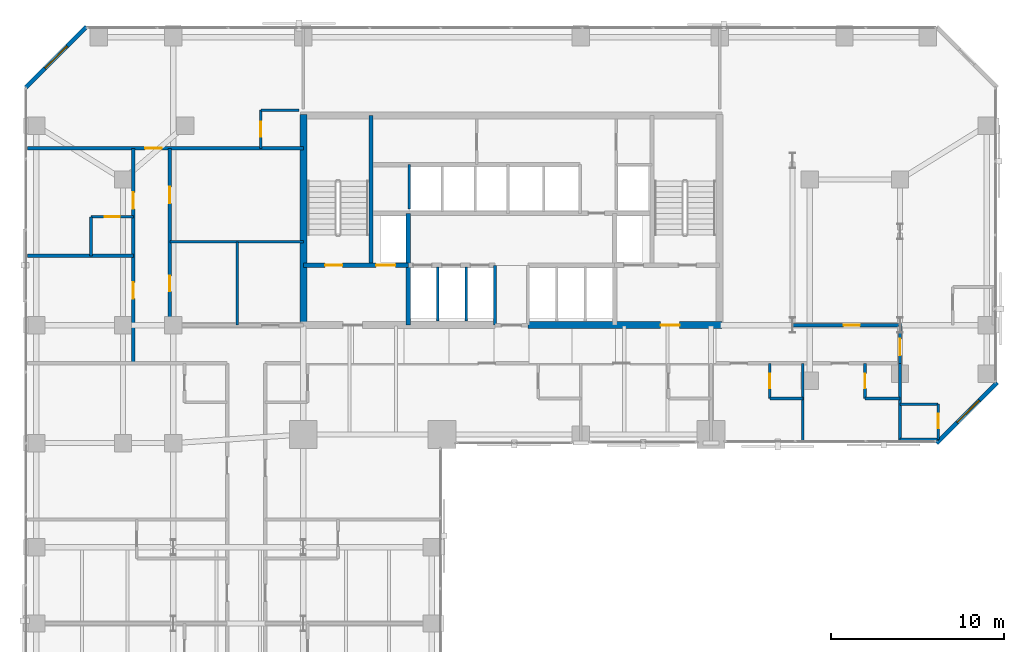
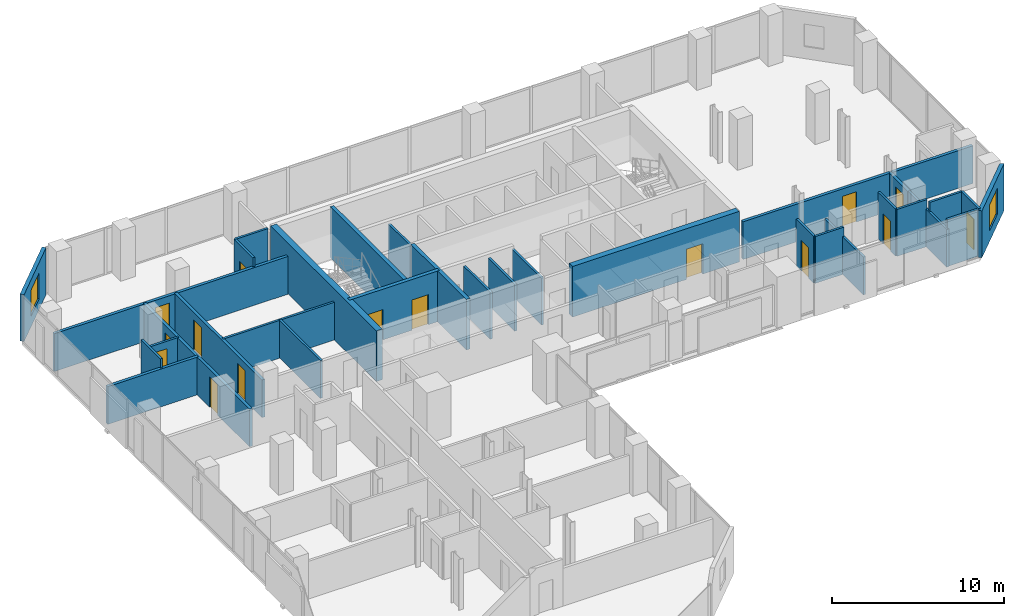
# One storey, part 28 of 31: 32 walls, 15 doors, 2 windows, 17 openings.
"""IFC4 building model written with IfcOpenShell, lengths in metres."""

from ifc_helpers import new_model, si_unit, direction, frame, frame_2d, origin, place, context, subcontext, project, spatial, rectangle, extrude, material, layer, layer_set, type_object, element, fill, save


model = new_model("IFC4")

# Units and contexts
model_context = context("Model", 3, precision=1e-05, world=origin(), true_north=direction((0.0, 1.0)))
body_context = subcontext(model_context, "Body", "Model", "MODEL_VIEW")
ifc_project = project(units=[si_unit("LENGTHUNIT", "METRE"), si_unit("AREAUNIT", "SQUARE_METRE"), si_unit("VOLUMEUNIT", "CUBIC_METRE"), si_unit("PLANEANGLEUNIT", "RADIAN"), si_unit("MASSUNIT", "GRAM", prefix="KILO")], contexts=[model_context])

# Site, building, storey
site_placement = place(None, origin())
site = spatial("IfcSite", under=ifc_project, at=site_placement, CompositionType="ELEMENT")
building_placement = place(site_placement, origin())
building = spatial("IfcBuilding", under=site, at=building_placement, Name="Catumbela Crestline Tower", CompositionType="ELEMENT")
storey_placement = place(building_placement, frame((0.0, 0.0, 25.8)))
storey = spatial("IfcBuildingStorey", under=building, at=storey_placement, Name="L05", CompositionType="ELEMENT", Elevation=25.8)

# Walls
ifc_material_1 = material(Name="Concrete C50/60", Category="concrete")
ifc_layer_1 = layer(ifc_material_1, 0.25, Name="Concrete C50/60")
ifc_layer_set_1 = layer_set([ifc_layer_1], Name="Concrete C50/60")
wall_type_1 = type_object("IfcWallType", Name="CW-250D", PredefinedType="SHEAR", material=ifc_layer_set_1)
wall_1_placement = place(storey_placement, frame((19.9, 34.25, 0.0), z_axis=(0.0, 0.0, 1.0), x_axis=(0.0, 1.0, 0.0)))
element("IfcWall", 1, at=wall_1_placement, inside=storey, type_object=wall_type_1, Name="L05 Structural Core Shear Wall WWEB", PredefinedType="SHEAR", context=body_context, shape_type="SweptSolid", body=[
    extrude(rectangle(XDim=8.65, YDim=0.25, at=frame_2d((4.325, 0.0))), origin(), (0.0, 0.0, 1.0), 3.6),
])
wall_2_placement = place(storey_placement, frame((22.05, 30.8, 0.0), z_axis=(0.0, 0.0, 1.0), x_axis=(0.0, 1.0, 0.0)))
element("IfcWall", 2, at=wall_2_placement, inside=storey, type_object=wall_type_1, Name="L05 Structural Core Shear Wall FFW", PredefinedType="SHEAR", context=body_context, shape_type="SweptSolid", body=[
    extrude(rectangle(XDim=6.45, YDim=0.25, at=frame_2d((3.225, 0.0))), origin(), (0.0, 0.0, 1.0), 3.6),
])

# Wall, openings, doors
wall_3_placement = place(storey_placement, frame((16.0, 34.25, 0.0), z_axis=(0.0, 0.0, 1.0), x_axis=(1.0, 0.0, 0.0)))
wall_3 = element("IfcWall", 3, at=wall_3_placement, inside=storey, type_object=wall_type_1, Name="L05 Structural Core Shear Wall ST1S", PredefinedType="SHEAR", context=body_context, shape_type="SweptSolid", body=[
    extrude(rectangle(XDim=6.05, YDim=0.25, at=frame_2d((3.025, 0.0))), origin(), (0.0, 0.0, 1.0), 3.6),
])
opening_1_placement = place(wall_3_placement, frame((1.25, 0.0, 0.0)))
opening_1 = element("IfcOpeningElement", 4, at=opening_1_placement, cuts=wall_3, Name="Opening DF9-100", PredefinedType="OPENING", context=body_context, shape_type="SweptSolid", body=[
    extrude(rectangle(XDim=1.0, YDim=2.15, at=frame_2d((0.5, 1.075))), frame((0.0, 0.135, 0.0), z_axis=(0.0, -1.0, 0.0), x_axis=(1.0, 0.0, 0.0)), (0.0, 0.0, 1.0), 0.27),
])
opening_2_placement = place(wall_3_placement, frame((4.2, 0.0, 0.0)))
opening_2 = element("IfcOpeningElement", 5, at=opening_2_placement, cuts=wall_3, Name="Opening LD-110", PredefinedType="OPENING", context=body_context, shape_type="SweptSolid", body=[
    extrude(rectangle(XDim=1.1, YDim=2.15, at=frame_2d((0.55, 1.075))), frame((0.0, 0.135, 0.0), z_axis=(0.0, -1.0, 0.0), x_axis=(1.0, 0.0, 0.0)), (0.0, 0.0, 1.0), 0.27),
])
ifc_material_2 = material(Name="Stainless steel EN 1.4401", Category="steel")
door_type_1 = type_object("IfcDoorType", Name="DF9-100", OperationType="NOTDEFINED", PredefinedType="DOOR", material=ifc_material_2)
door_1_placement = place(opening_1_placement, origin())
door_1 = element("IfcDoor", 6, at=door_1_placement, inside=storey, type_object=door_type_1, Name="L05 Interior Door DR-L05-ST01", OperationType="SINGLE_SWING_LEFT", OverallHeight=2.15, OverallWidth=1.0, PredefinedType="DOOR", context=body_context, shape_type="SweptSolid", body=[
    extrude(rectangle(XDim=1.0, YDim=2.15, at=frame_2d((0.5, 1.075))), frame((0.0, 0.025, 0.0), z_axis=(0.0, -1.0, 0.0), x_axis=(1.0, 0.0, 0.0)), (0.0, 0.0, 1.0), 0.05),
])
fill(opening_1, door_1)
door_type_2 = type_object("IfcDoorType", Name="LD-110", OperationType="NOTDEFINED", PredefinedType="DOOR", material=ifc_material_2)
door_2_placement = place(opening_2_placement, origin())
door_2 = element("IfcDoor", 7, at=door_2_placement, inside=storey, type_object=door_type_2, Name="L05 Lift Landing Sliding Door FL-01", OperationType="DOUBLE_DOOR_SLIDING", OverallHeight=2.15, OverallWidth=1.1, PredefinedType="DOOR", context=body_context, shape_type="SweptSolid", body=[
    extrude(rectangle(XDim=1.1, YDim=2.15, at=frame_2d((0.55, 1.075))), frame((0.0, 0.025, 0.0), z_axis=(0.0, -1.0, 0.0), x_axis=(1.0, 0.0, 0.0)), (0.0, 0.0, 1.0), 0.05),
])
fill(opening_2, door_2)

# Wall
ifc_material_3 = material(Name="Concrete C60/75", Category="concrete")
ifc_layer_2 = layer(ifc_material_3, 0.4, Name="Concrete C60/75")
ifc_layer_set_2 = layer_set([ifc_layer_2], Name="Concrete C60/75")
wall_type_2 = type_object("IfcWallType", Name="CW-400A", PredefinedType="SHEAR", material=ifc_layer_set_2)
wall_4_placement = place(storey_placement, frame((16.0, 30.65, 0.0), z_axis=(0.0, 0.0, 1.0), x_axis=(0.0, 1.0, 0.0)))
element("IfcWall", 8, at=wall_4_placement, inside=storey, type_object=wall_type_2, Name="L05 Structural Core Shear Wall W", PredefinedType="SHEAR", context=body_context, shape_type="SweptSolid", body=[
    extrude(rectangle(XDim=12.3, YDim=0.4, at=frame_2d((6.15, 0.0))), origin(), (0.0, 0.0, 1.0), 3.6),
])

# Wall, opening, door
wall_5_placement = place(storey_placement, frame((28.95, 30.8, 0.0), z_axis=(0.0, 0.0, 1.0), x_axis=(1.0, 0.0, 0.0)))
wall_5 = element("IfcWall", 9, at=wall_5_placement, inside=storey, type_object=wall_type_2, Name="L05 Structural Core Shear Wall SE", PredefinedType="SHEAR", context=body_context, shape_type="SweptSolid", body=[
    extrude(rectangle(XDim=11.2, YDim=0.4, at=frame_2d((5.6, 0.0))), origin(), (0.0, 0.0, 1.0), 3.6),
])
opening_3_placement = place(wall_5_placement, frame((7.65, 0.0, 0.0)))
opening_3 = element("IfcOpeningElement", 10, at=opening_3_placement, cuts=wall_5, Name="Opening DF9-110", PredefinedType="OPENING", context=body_context, shape_type="SweptSolid", body=[
    extrude(rectangle(XDim=1.1, YDim=2.15, at=frame_2d((0.55, 1.075))), frame((0.0, 0.21, 0.0), z_axis=(0.0, -1.0, 0.0), x_axis=(1.0, 0.0, 0.0)), (0.0, 0.0, 1.0), 0.42),
])
door_type_3 = type_object("IfcDoorType", Name="DF9-110", OperationType="NOTDEFINED", PredefinedType="DOOR", material=ifc_material_2)
door_3_placement = place(opening_3_placement, origin())
door_3 = element("IfcDoor", 11, at=door_3_placement, inside=storey, type_object=door_type_3, Name="L05 Interior Door DR-L05-FFE-S", OperationType="SINGLE_SWING_RIGHT", OverallHeight=2.15, OverallWidth=1.1, PredefinedType="DOOR", context=body_context, shape_type="SweptSolid", body=[
    extrude(rectangle(XDim=1.1, YDim=2.15, at=frame_2d((0.55, 1.075))), frame((0.0, 0.025, 0.0), z_axis=(0.0, -1.0, 0.0), x_axis=(1.0, 0.0, 0.0)), (0.0, 0.0, 1.0), 0.05),
])
fill(opening_3, door_3)

# Wall, openings, doors
ifc_material_4 = material(Name="Acoustic gypsum and mineral-wool partition")
ifc_layer_3 = layer(ifc_material_4, 0.2, Name="Acoustic gypsum and mineral-wool partition")
ifc_layer_set_3 = layer_set([ifc_layer_3], Name="Acoustic gypsum and mineral-wool partition")
wall_type_3 = type_object("IfcWallType", Name="WC-200", PredefinedType="PARTITIONING", material=ifc_layer_set_3)
wall_6_placement = place(storey_placement, frame((8.3, 30.8, 0.0), z_axis=(0.0, 0.0, 1.0), x_axis=(0.0, 1.0, 0.0)))
wall_6 = element("IfcWall", 12, at=wall_6_placement, inside=storey, type_object=wall_type_3, Name="L05 Interior Partition PW-L05-AWC-W", PredefinedType="PARTITIONING", context=body_context, shape_type="SweptSolid", body=[
    extrude(rectangle(XDim=10.2, YDim=0.2, at=frame_2d((5.1, 0.0))), origin(), (0.0, 0.0, 1.0), 2.68),
])
opening_4_placement = place(wall_6_placement, frame((1.95, 0.0, 0.0)))
opening_4 = element("IfcOpeningElement", 13, at=opening_4_placement, cuts=wall_6, Name="Opening DI-090", PredefinedType="OPENING", context=body_context, shape_type="SweptSolid", body=[
    extrude(rectangle(XDim=0.9, YDim=2.15, at=frame_2d((0.45, 1.075))), frame((0.0, 0.11, 0.0), z_axis=(0.0, -1.0, 0.0), x_axis=(1.0, 0.0, 0.0)), (0.0, 0.0, 1.0), 0.22),
])
opening_5_placement = place(wall_6_placement, frame((7.025, 0.0, 0.0)))
opening_5 = element("IfcOpeningElement", 14, at=opening_5_placement, cuts=wall_6, Name="Opening DF6-095", PredefinedType="OPENING", context=body_context, shape_type="SweptSolid", body=[
    extrude(rectangle(XDim=0.95, YDim=2.15, at=frame_2d((0.475, 1.075))), frame((0.0, 0.11, 0.0), z_axis=(0.0, -1.0, 0.0), x_axis=(1.0, 0.0, 0.0)), (0.0, 0.0, 1.0), 0.22),
])
ifc_material_5 = material(Name="Aluminium alloy AW-6060-T66", Category="aluminium")
door_type_4 = type_object("IfcDoorType", Name="DF6-095", OperationType="NOTDEFINED", PredefinedType="DOOR", material=ifc_material_5)
door_4_placement = place(opening_5_placement, origin())
door_4 = element("IfcDoor", 15, at=door_4_placement, inside=storey, type_object=door_type_4, Name="L05 Interior Door DR-L05-NWE1-ENT", OperationType="SINGLE_SWING_RIGHT", OverallHeight=2.15, OverallWidth=0.95, PredefinedType="DOOR", context=body_context, shape_type="SweptSolid", body=[
    extrude(rectangle(XDim=0.95, YDim=2.15, at=frame_2d((0.475, 1.075))), frame((0.0, 0.025, 0.0), z_axis=(0.0, -1.0, 0.0), x_axis=(1.0, 0.0, 0.0)), (0.0, 0.0, 1.0), 0.05),
])
fill(opening_5, door_4)
door_type_5 = type_object("IfcDoorType", Name="DI-090", OperationType="NOTDEFINED", PredefinedType="DOOR", material=ifc_material_5)
door_5_placement = place(opening_4_placement, origin())
door_5 = element("IfcDoor", 16, at=door_5_placement, inside=storey, type_object=door_type_5, Name="L05 Interior Door DR-L05-STWC", OperationType="SINGLE_SWING_RIGHT", OverallHeight=2.15, OverallWidth=0.9, PredefinedType="DOOR", context=body_context, shape_type="SweptSolid", body=[
    extrude(rectangle(XDim=0.9, YDim=2.15, at=frame_2d((0.45, 1.075))), frame((0.0, 0.025, 0.0), z_axis=(0.0, -1.0, 0.0), x_axis=(1.0, 0.0, 0.0)), (0.0, 0.0, 1.0), 0.05),
])
fill(opening_4, door_5)

# Wall, opening, door
wall_7_placement = place(storey_placement, frame((0.1, 41.0, 0.0), z_axis=(0.0, 0.0, 1.0), x_axis=(1.0, 0.0, 0.0)))
wall_7 = element("IfcWall", 17, at=wall_7_placement, inside=storey, type_object=wall_type_3, Name="L05 Interior Partition PW-L05-NWTOP-ENT", PredefinedType="PARTITIONING", context=body_context, shape_type="SweptSolid", body=[
    extrude(rectangle(XDim=15.9, YDim=0.2, at=frame_2d((7.95, 0.0))), origin(), (0.0, 0.0, 1.0), 2.68),
])
opening_6_placement = place(wall_7_placement, frame((6.7788, 0.0, 0.0)))
opening_6 = element("IfcOpeningElement", 18, at=opening_6_placement, cuts=wall_7, Name="Opening DF6-095", PredefinedType="OPENING", context=body_context, shape_type="SweptSolid", body=[
    extrude(rectangle(XDim=0.95, YDim=2.15, at=frame_2d((0.475, 1.075))), frame((0.0, 0.11, 0.0), z_axis=(0.0, -1.0, 0.0), x_axis=(1.0, 0.0, 0.0)), (0.0, 0.0, 1.0), 0.22),
])
door_6_placement = place(opening_6_placement, origin())
door_6 = element("IfcDoor", 19, at=door_6_placement, inside=storey, type_object=door_type_4, Name="L05 Interior Door DR-L05-NWTOP-ENT", OperationType="SINGLE_SWING_LEFT", OverallHeight=2.15, OverallWidth=0.95, PredefinedType="DOOR", context=body_context, shape_type="SweptSolid", body=[
    extrude(rectangle(XDim=0.95, YDim=2.15, at=frame_2d((0.475, 1.075))), frame((0.0, 0.025, 0.0), z_axis=(0.0, -1.0, 0.0), x_axis=(1.0, 0.0, 0.0)), (0.0, 0.0, 1.0), 0.05),
])
fill(opening_6, door_6)

# Wall, openings, doors
wall_8_placement = place(storey_placement, frame((6.2, 28.6, 0.0), z_axis=(0.0, 0.0, 1.0), x_axis=(0.0, 1.0, 0.0)))
wall_8 = element("IfcWall", 20, at=wall_8_placement, inside=storey, type_object=wall_type_3, Name="L05 Interior Partition PW-L05-NWW1-ENT", PredefinedType="PARTITIONING", context=body_context, shape_type="SweptSolid", body=[
    extrude(rectangle(XDim=12.4, YDim=0.2, at=frame_2d((6.2, 0.0))), origin(), (0.0, 0.0, 1.0), 2.68),
])
opening_7_placement = place(wall_8_placement, frame((3.725, 0.0, 0.0)))
opening_7 = element("IfcOpeningElement", 21, at=opening_7_placement, cuts=wall_8, Name="Opening DF6-095", PredefinedType="OPENING", context=body_context, shape_type="SweptSolid", body=[
    extrude(rectangle(XDim=0.95, YDim=2.15, at=frame_2d((0.475, 1.075))), frame((0.0, 0.11, 0.0), z_axis=(0.0, -1.0, 0.0), x_axis=(1.0, 0.0, 0.0)), (0.0, 0.0, 1.0), 0.22),
])
opening_8_placement = place(wall_8_placement, frame((8.91, 0.0, 0.0)))
opening_8 = element("IfcOpeningElement", 22, at=opening_8_placement, cuts=wall_8, Name="Opening DF6-095", PredefinedType="OPENING", context=body_context, shape_type="SweptSolid", body=[
    extrude(rectangle(XDim=0.95, YDim=2.15, at=frame_2d((0.475, 1.075))), frame((0.0, 0.11, 0.0), z_axis=(0.0, -1.0, 0.0), x_axis=(1.0, 0.0, 0.0)), (0.0, 0.0, 1.0), 0.22),
])
door_7_placement = place(opening_7_placement, origin())
door_7 = element("IfcDoor", 23, at=door_7_placement, inside=storey, type_object=door_type_4, Name="L05 Interior Door DR-L05-NWW1-ENT", OperationType="SINGLE_SWING_RIGHT", OverallHeight=2.15, OverallWidth=0.95, PredefinedType="DOOR", context=body_context, shape_type="SweptSolid", body=[
    extrude(rectangle(XDim=0.95, YDim=2.15, at=frame_2d((0.475, 1.075))), frame((0.0, 0.025, 0.0), z_axis=(0.0, -1.0, 0.0), x_axis=(1.0, 0.0, 0.0)), (0.0, 0.0, 1.0), 0.05),
])
fill(opening_7, door_7)
door_8_placement = place(opening_8_placement, origin())
door_8 = element("IfcDoor", 24, at=door_8_placement, inside=storey, type_object=door_type_4, Name="L05 Interior Door DR-L05-NWW2-ENT", OperationType="SINGLE_SWING_LEFT", OverallHeight=2.15, OverallWidth=0.95, PredefinedType="DOOR", context=body_context, shape_type="SweptSolid", body=[
    extrude(rectangle(XDim=0.95, YDim=2.15, at=frame_2d((0.475, 1.075))), frame((0.0, 0.025, 0.0), z_axis=(0.0, -1.0, 0.0), x_axis=(1.0, 0.0, 0.0)), (0.0, 0.0, 1.0), 0.05),
])
fill(opening_8, door_8)

# Wall, opening, door
wall_9_placement = place(storey_placement, frame((40.47, 30.8, 0.0), z_axis=(0.0, 0.0, 1.0), x_axis=(1.0, 0.0, 0.0)))
wall_9 = element("IfcWall", 25, at=wall_9_placement, inside=storey, type_object=wall_type_3, Name="L05 Interior Partition PW-L05-NES-ENT", PredefinedType="PARTITIONING", context=body_context, shape_type="SweptSolid", body=[
    extrude(rectangle(XDim=15.43, YDim=0.2, at=frame_2d((7.715, 0.0))), origin(), (0.0, 0.0, 1.0), 2.68),
])
opening_9_placement = place(wall_9_placement, frame((6.6725, 0.0, 0.0)))
opening_9 = element("IfcOpeningElement", 26, at=opening_9_placement, cuts=wall_9, Name="Opening DF6-095", PredefinedType="OPENING", context=body_context, shape_type="SweptSolid", body=[
    extrude(rectangle(XDim=0.95, YDim=2.15, at=frame_2d((0.475, 1.075))), frame((0.0, 0.11, 0.0), z_axis=(0.0, -1.0, 0.0), x_axis=(1.0, 0.0, 0.0)), (0.0, 0.0, 1.0), 0.22),
])
door_9_placement = place(opening_9_placement, origin())
door_9 = element("IfcDoor", 27, at=door_9_placement, inside=storey, type_object=door_type_4, Name="L05 Interior Door DR-L05-NES-ENT", OperationType="SINGLE_SWING_LEFT", OverallHeight=2.15, OverallWidth=0.95, PredefinedType="DOOR", context=body_context, shape_type="SweptSolid", body=[
    extrude(rectangle(XDim=0.95, YDim=2.15, at=frame_2d((0.475, 1.075))), frame((0.0, 0.025, 0.0), z_axis=(0.0, -1.0, 0.0), x_axis=(1.0, 0.0, 0.0)), (0.0, 0.0, 1.0), 0.05),
])
fill(opening_9, door_9)

wall_10_placement = place(storey_placement, frame((50.4, 28.6, 0.0), z_axis=(0.0, 0.0, 1.0), x_axis=(0.0, 1.0, 0.0)))
wall_10 = element("IfcWall", 28, at=wall_10_placement, inside=storey, type_object=wall_type_3, Name="L05 Interior Partition PW-L05-NESE-ENT", PredefinedType="PARTITIONING", context=body_context, shape_type="SweptSolid", body=[
    extrude(rectangle(XDim=2.2, YDim=0.2, at=frame_2d((1.1, 0.0))), origin(), (0.0, 0.0, 1.0), 2.68),
])
opening_10_placement = place(wall_10_placement, frame((0.46, 0.0, 0.0)))
opening_10 = element("IfcOpeningElement", 29, at=opening_10_placement, cuts=wall_10, Name="Opening DF6-095", PredefinedType="OPENING", context=body_context, shape_type="SweptSolid", body=[
    extrude(rectangle(XDim=0.95, YDim=2.15, at=frame_2d((0.475, 1.075))), frame((0.0, 0.11, 0.0), z_axis=(0.0, -1.0, 0.0), x_axis=(1.0, 0.0, 0.0)), (0.0, 0.0, 1.0), 0.22),
])
door_10_placement = place(opening_10_placement, origin())
door_10 = element("IfcDoor", 30, at=door_10_placement, inside=storey, type_object=door_type_4, Name="L05 Interior Door DR-L05-NESE-ENT", OperationType="SINGLE_SWING_RIGHT", OverallHeight=2.15, OverallWidth=0.95, PredefinedType="DOOR", context=body_context, shape_type="SweptSolid", body=[
    extrude(rectangle(XDim=0.95, YDim=2.15, at=frame_2d((0.475, 1.075))), frame((0.0, 0.025, 0.0), z_axis=(0.0, -1.0, 0.0), x_axis=(1.0, 0.0, 0.0)), (0.0, 0.0, 1.0), 0.05),
])
fill(opening_10, door_10)

# Wall, opening, window
ifc_material_6 = material(Name="Angolan grey-ochre granite", Category="masonry")
ifc_layer_4 = layer(ifc_material_6, 0.25, Name="Angolan grey-ochre granite")
ifc_layer_set_4 = layer_set([ifc_layer_4], Name="Angolan grey-ochre granite")
wall_type_4 = type_object("IfcWallType", Name="WE-250", PredefinedType="STANDARD", material=ifc_layer_set_4)
wall_11_placement = place(storey_placement, frame((52.5, 24.0, 0.0), z_axis=(0.0, 0.0, 1.0), x_axis=(0.707106781187, 0.707106781187, 0.0)))
wall_11 = element("IfcWall", 31, at=wall_11_placement, inside=storey, type_object=wall_type_4, Name="L05 Granite Punched Window Wall 4-1", PredefinedType="STANDARD", context=body_context, shape_type="SweptSolid", body=[
    extrude(rectangle(XDim=4.9497, YDim=0.25, at=frame_2d((2.4748, 0.0))), origin(), (0.0, 0.0, 1.0), 3.33),
])
opening_11_placement = place(wall_11_placement, frame((1.6851, 0.0, 0.75)))
opening_11 = element("IfcOpeningElement", 32, at=opening_11_placement, cuts=wall_11, Name="Opening WN-01", PredefinedType="OPENING", context=body_context, shape_type="SweptSolid", body=[
    extrude(rectangle(XDim=1.8, YDim=1.85, at=frame_2d((0.9, 0.925))), frame((0.0, 0.135, 0.0), z_axis=(0.0, -1.0, 0.0), x_axis=(1.0, 0.0, 0.0)), (0.0, 0.0, 1.0), 0.27),
])
ifc_material_7 = material(Name="Low-E laminated solar-control double glazing", Category="glass")
window_type = type_object("IfcWindowType", Name="WF-1800", PartitioningType="SINGLE_PANEL", PredefinedType="WINDOW", material=ifc_material_7)
window_1_placement = place(opening_11_placement, origin())
window_1 = element("IfcWindow", 33, at=window_1_placement, inside=storey, type_object=window_type, Name="L05 Facade Vision Window 49", OverallHeight=1.85, OverallWidth=1.8, PartitioningType="SINGLE_PANEL", PredefinedType="WINDOW", context=body_context, shape_type="SweptSolid", body=[
    extrude(rectangle(XDim=1.8, YDim=1.85, at=frame_2d((0.9, 0.925))), frame((0.0, 0.03, 0.0), z_axis=(0.0, -1.0, 0.0), x_axis=(1.0, 0.0, 0.0)), (0.0, 0.0, 1.0), 0.06),
])
fill(opening_11, window_1)

wall_12_placement = place(storey_placement, frame((3.5, 48.0, 0.0), z_axis=(0.0, 0.0, 1.0), x_axis=(-0.707106781187, -0.707106781187, 0.0)))
wall_12 = element("IfcWall", 34, at=wall_12_placement, inside=storey, type_object=wall_type_4, Name="L05 Granite Punched Window Wall 8-1", PredefinedType="STANDARD", context=body_context, shape_type="SweptSolid", body=[
    extrude(rectangle(XDim=4.9497, YDim=0.25, at=frame_2d((2.4748, 0.0))), origin(), (0.0, 0.0, 1.0), 3.33),
])
opening_12_placement = place(wall_12_placement, frame((1.5749, 0.0, 0.75)))
opening_12 = element("IfcOpeningElement", 35, at=opening_12_placement, cuts=wall_12, Name="Opening WN-01", PredefinedType="OPENING", context=body_context, shape_type="SweptSolid", body=[
    extrude(rectangle(XDim=1.8, YDim=1.85, at=frame_2d((0.9, 0.925))), frame((0.0, 0.135, 0.0), z_axis=(0.0, -1.0, 0.0), x_axis=(1.0, 0.0, 0.0)), (0.0, 0.0, 1.0), 0.27),
])
window_2_placement = place(opening_12_placement, origin())
window_2 = element("IfcWindow", 36, at=window_2_placement, inside=storey, type_object=window_type, Name="L05 Facade Vision Window 51", OverallHeight=1.85, OverallWidth=1.8, PartitioningType="SINGLE_PANEL", PredefinedType="WINDOW", context=body_context, shape_type="SweptSolid", body=[
    extrude(rectangle(XDim=1.8, YDim=1.85, at=frame_2d((0.9, 0.925))), frame((0.0, 0.03, 0.0), z_axis=(0.0, -1.0, 0.0), x_axis=(1.0, 0.0, 0.0)), (0.0, 0.0, 1.0), 0.06),
])
fill(opening_12, window_2)

# Walls
ifc_layer_5 = layer(ifc_material_4, 0.15, Name="Acoustic gypsum and mineral-wool partition")
ifc_layer_set_5 = layer_set([ifc_layer_5], Name="Acoustic gypsum and mineral-wool partition")
wall_type_5 = type_object("IfcWallType", Name="WP-150", PredefinedType="PARTITIONING", material=ifc_layer_set_5)
wall_13_placement = place(storey_placement, frame((8.3, 35.6, 0.0), z_axis=(0.0, 0.0, 1.0), x_axis=(1.0, 0.0, 0.0)))
element("IfcWall", 37, at=wall_13_placement, inside=storey, type_object=wall_type_5, Name="L05 Interior Partition PW-L05-HK-N", PredefinedType="PARTITIONING", context=body_context, shape_type="SweptSolid", body=[
    extrude(rectangle(XDim=7.7, YDim=0.15, at=frame_2d((3.85, 0.0))), origin(), (0.0, 0.0, 1.0), 2.68),
])
wall_14_placement = place(storey_placement, frame((12.2, 30.8, 0.0), z_axis=(0.0, 0.0, 1.0), x_axis=(0.0, 1.0, 0.0)))
element("IfcWall", 38, at=wall_14_placement, inside=storey, type_object=wall_type_5, Name="L05 Interior Partition PW-L05-HK-M", PredefinedType="PARTITIONING", context=body_context, shape_type="SweptSolid", body=[
    extrude(rectangle(XDim=4.8, YDim=0.15, at=frame_2d((2.4, 0.0))), origin(), (0.0, 0.0, 1.0), 2.68),
])
wall_15_placement = place(storey_placement, frame((13.55, 43.2, 0.0), z_axis=(0.0, 0.0, 1.0), x_axis=(1.0, 0.0, 0.0)))
element("IfcWall", 39, at=wall_15_placement, inside=storey, type_object=wall_type_5, Name="L05 Interior Partition PW-L05-NWTOP-BHW", PredefinedType="PARTITIONING", context=body_context, shape_type="SweptSolid", body=[
    extrude(rectangle(XDim=2.1897, YDim=0.15, at=frame_2d((1.0949, 0.0))), origin(), (0.0, 0.0, 1.0), 3.33),
])

# Wall, opening, door
wall_16_placement = place(storey_placement, frame((13.55, 41.0, 0.0), z_axis=(0.0, 0.0, 1.0), x_axis=(0.0, 1.0, 0.0)))
wall_16 = element("IfcWall", 40, at=wall_16_placement, inside=storey, type_object=wall_type_5, Name="L05 Interior Partition PW-L05-NWTOP-BWW", PredefinedType="PARTITIONING", context=body_context, shape_type="SweptSolid", body=[
    extrude(rectangle(XDim=2.2, YDim=0.15, at=frame_2d((1.1, 0.0))), origin(), (0.0, 0.0, 1.0), 3.33),
])
opening_13_placement = place(wall_16_placement, frame((0.675, 0.0, 0.0)))
opening_13 = element("IfcOpeningElement", 41, at=opening_13_placement, cuts=wall_16, Name="Opening DI-085", PredefinedType="OPENING", context=body_context, shape_type="SweptSolid", body=[
    extrude(rectangle(XDim=0.85, YDim=2.15, at=frame_2d((0.425, 1.075))), frame((0.0, 0.085, 0.0), z_axis=(0.0, -1.0, 0.0), x_axis=(1.0, 0.0, 0.0)), (0.0, 0.0, 1.0), 0.17),
])
door_type_6 = type_object("IfcDoorType", Name="DI-085", OperationType="NOTDEFINED", PredefinedType="DOOR", material=ifc_material_5)
door_11_placement = place(opening_13_placement, origin())
door_11 = element("IfcDoor", 42, at=door_11_placement, inside=storey, type_object=door_type_6, Name="L05 Interior Door DR-L05-NWTOP-BTH", OperationType="SINGLE_SWING_RIGHT", OverallHeight=2.15, OverallWidth=0.85, PredefinedType="DOOR", context=body_context, shape_type="SweptSolid", body=[
    extrude(rectangle(XDim=0.85, YDim=2.15, at=frame_2d((0.425, 1.075))), frame((0.0, 0.025, 0.0), z_axis=(0.0, -1.0, 0.0), x_axis=(1.0, 0.0, 0.0)), (0.0, 0.0, 1.0), 0.05),
])
fill(opening_13, door_11)

# Wall
wall_17_placement = place(storey_placement, frame((3.76, 34.8, 0.0), z_axis=(0.0, 0.0, 1.0), x_axis=(0.0, 1.0, 0.0)))
element("IfcWall", 43, at=wall_17_placement, inside=storey, type_object=wall_type_5, Name="L05 Interior Partition PW-L05-NWW2-BWW", PredefinedType="PARTITIONING", context=body_context, shape_type="SweptSolid", body=[
    extrude(rectangle(XDim=2.25, YDim=0.15, at=frame_2d((1.125, 0.0))), origin(), (0.0, 0.0, 1.0), 3.33),
])

# Wall, opening, door
wall_18_placement = place(storey_placement, frame((3.76, 37.05, 0.0), z_axis=(0.0, 0.0, 1.0), x_axis=(1.0, 0.0, 0.0)))
wall_18 = element("IfcWall", 44, at=wall_18_placement, inside=storey, type_object=wall_type_5, Name="L05 Interior Partition PW-L05-NWW2-BNW", PredefinedType="PARTITIONING", context=body_context, shape_type="SweptSolid", body=[
    extrude(rectangle(XDim=2.44, YDim=0.15, at=frame_2d((1.22, 0.0))), origin(), (0.0, 0.0, 1.0), 2.68),
])
opening_14_placement = place(wall_18_placement, frame((0.795, 0.0, 0.0)))
opening_14 = element("IfcOpeningElement", 45, at=opening_14_placement, cuts=wall_18, Name="Opening DI-085", PredefinedType="OPENING", context=body_context, shape_type="SweptSolid", body=[
    extrude(rectangle(XDim=0.85, YDim=2.15, at=frame_2d((0.425, 1.075))), frame((0.0, 0.085, 0.0), z_axis=(0.0, -1.0, 0.0), x_axis=(1.0, 0.0, 0.0)), (0.0, 0.0, 1.0), 0.17),
])
door_12_placement = place(opening_14_placement, origin())
door_12 = element("IfcDoor", 46, at=door_12_placement, inside=storey, type_object=door_type_6, Name="L05 Interior Door DR-L05-NWW2-BTH", OperationType="SINGLE_SWING_RIGHT", OverallHeight=2.15, OverallWidth=0.85, PredefinedType="DOOR", context=body_context, shape_type="SweptSolid", body=[
    extrude(rectangle(XDim=0.85, YDim=2.15, at=frame_2d((0.425, 1.075))), frame((0.0, 0.025, 0.0), z_axis=(0.0, -1.0, 0.0), x_axis=(1.0, 0.0, 0.0)), (0.0, 0.0, 1.0), 0.05),
])
fill(opening_14, door_12)

# Wall
wall_19_placement = place(storey_placement, frame((42.892, 26.576, 0.0), z_axis=(0.0, 0.0, 1.0), x_axis=(1.0, 0.0, 0.0)))
element("IfcWall", 47, at=wall_19_placement, inside=storey, type_object=wall_type_5, Name="L05 Interior Partition PW-L05-K3-BHW", PredefinedType="PARTITIONING", context=body_context, shape_type="SweptSolid", body=[
    extrude(rectangle(XDim=1.908, YDim=0.15, at=frame_2d((0.954, 0.0))), origin(), (0.0, 0.0, 1.0), 3.33),
])

# Wall, opening, door
wall_20_placement = place(storey_placement, frame((42.892, 26.576, 0.0), z_axis=(0.0, 0.0, 1.0), x_axis=(0.0, 1.0, 0.0)))
wall_20 = element("IfcWall", 48, at=wall_20_placement, inside=storey, type_object=wall_type_5, Name="L05 Interior Partition PW-L05-K3-BWW", PredefinedType="PARTITIONING", context=body_context, shape_type="SweptSolid", body=[
    extrude(rectangle(XDim=2.024, YDim=0.15, at=frame_2d((1.012, 0.0))), origin(), (0.0, 0.0, 1.0), 3.33),
])
opening_15_placement = place(wall_20_placement, frame((0.587, 0.0, 0.0)))
opening_15 = element("IfcOpeningElement", 49, at=opening_15_placement, cuts=wall_20, Name="Opening DI-085", PredefinedType="OPENING", context=body_context, shape_type="SweptSolid", body=[
    extrude(rectangle(XDim=0.85, YDim=2.15, at=frame_2d((0.425, 1.075))), frame((0.0, 0.085, 0.0), z_axis=(0.0, -1.0, 0.0), x_axis=(1.0, 0.0, 0.0)), (0.0, 0.0, 1.0), 0.17),
])
door_13_placement = place(opening_15_placement, origin())
door_13 = element("IfcDoor", 50, at=door_13_placement, inside=storey, type_object=door_type_6, Name="L05 Interior Door DR-L05-K3-BTH", OperationType="SINGLE_SWING_RIGHT", OverallHeight=2.15, OverallWidth=0.85, PredefinedType="DOOR", context=body_context, shape_type="SweptSolid", body=[
    extrude(rectangle(XDim=0.85, YDim=2.15, at=frame_2d((0.425, 1.075))), frame((0.0, 0.025, 0.0), z_axis=(0.0, -1.0, 0.0), x_axis=(1.0, 0.0, 0.0)), (0.0, 0.0, 1.0), 0.05),
])
fill(opening_15, door_13)

# Walls
wall_21_placement = place(storey_placement, frame((44.8, 28.6, 0.0), z_axis=(0.0, 0.0, 1.0), x_axis=(0.0, -1.0, 0.0)))
element("IfcWall", 51, at=wall_21_placement, inside=storey, type_object=wall_type_5, Name="L05 Interior Partition PW-L05-K3-BCL-2", PredefinedType="PARTITIONING", context=body_context, shape_type="SweptSolid", body=[
    extrude(rectangle(XDim=4.5, YDim=0.15, at=frame_2d((2.25, 0.0))), origin(), (0.0, 0.0, 1.0), 2.68),
])
wall_22_placement = place(storey_placement, frame((48.384, 26.576, 0.0), z_axis=(0.0, 0.0, 1.0), x_axis=(1.0, 0.0, 0.0)))
element("IfcWall", 52, at=wall_22_placement, inside=storey, type_object=wall_type_5, Name="L05 Interior Partition PW-L05-K4-BHW", PredefinedType="PARTITIONING", context=body_context, shape_type="SweptSolid", body=[
    extrude(rectangle(XDim=2.016, YDim=0.15, at=frame_2d((1.008, 0.0))), origin(), (0.0, 0.0, 1.0), 3.33),
])

# Wall, opening, door
wall_23_placement = place(storey_placement, frame((48.384, 26.576, 0.0), z_axis=(0.0, 0.0, 1.0), x_axis=(0.0, 1.0, 0.0)))
wall_23 = element("IfcWall", 53, at=wall_23_placement, inside=storey, type_object=wall_type_5, Name="L05 Interior Partition PW-L05-K4-BWW", PredefinedType="PARTITIONING", context=body_context, shape_type="SweptSolid", body=[
    extrude(rectangle(XDim=2.024, YDim=0.15, at=frame_2d((1.012, 0.0))), origin(), (0.0, 0.0, 1.0), 3.33),
])
opening_16_placement = place(wall_23_placement, frame((0.587, 0.0, 0.0)))
opening_16 = element("IfcOpeningElement", 54, at=opening_16_placement, cuts=wall_23, Name="Opening DI-085", PredefinedType="OPENING", context=body_context, shape_type="SweptSolid", body=[
    extrude(rectangle(XDim=0.85, YDim=2.15, at=frame_2d((0.425, 1.075))), frame((0.0, 0.085, 0.0), z_axis=(0.0, -1.0, 0.0), x_axis=(1.0, 0.0, 0.0)), (0.0, 0.0, 1.0), 0.17),
])
door_14_placement = place(opening_16_placement, origin())
door_14 = element("IfcDoor", 55, at=door_14_placement, inside=storey, type_object=door_type_6, Name="L05 Interior Door DR-L05-K4-BTH", OperationType="SINGLE_SWING_RIGHT", OverallHeight=2.15, OverallWidth=0.85, PredefinedType="DOOR", context=body_context, shape_type="SweptSolid", body=[
    extrude(rectangle(XDim=0.85, YDim=2.15, at=frame_2d((0.425, 1.075))), frame((0.0, 0.025, 0.0), z_axis=(0.0, -1.0, 0.0), x_axis=(1.0, 0.0, 0.0)), (0.0, 0.0, 1.0), 0.05),
])
fill(opening_16, door_14)

# Walls
wall_24_placement = place(storey_placement, frame((50.4, 28.6, 0.0), z_axis=(0.0, 0.0, 1.0), x_axis=(0.0, -1.0, 0.0)))
element("IfcWall", 56, at=wall_24_placement, inside=storey, type_object=wall_type_5, Name="L05 Interior Partition PW-L05-K4-BCL-2", PredefinedType="PARTITIONING", context=body_context, shape_type="SweptSolid", body=[
    extrude(rectangle(XDim=4.5, YDim=0.15, at=frame_2d((2.25, 0.0))), origin(), (0.0, 0.0, 1.0), 2.68),
])
wall_25_placement = place(storey_placement, frame((50.4, 26.25, 0.0), z_axis=(0.0, 0.0, 1.0), x_axis=(1.0, 0.0, 0.0)))
element("IfcWall", 57, at=wall_25_placement, inside=storey, type_object=wall_type_5, Name="L05 Interior Partition PW-L05-NESE-BNW", PredefinedType="PARTITIONING", context=body_context, shape_type="SweptSolid", body=[
    extrude(rectangle(XDim=2.2, YDim=0.15, at=frame_2d((1.1, 0.0))), origin(), (0.0, 0.0, 1.0), 3.33),
])

# Wall, opening, door
wall_26_placement = place(storey_placement, frame((52.6, 24.2, 0.0), z_axis=(0.0, 0.0, 1.0), x_axis=(0.0, 1.0, 0.0)))
wall_26 = element("IfcWall", 58, at=wall_26_placement, inside=storey, type_object=wall_type_5, Name="L05 Interior Partition PW-L05-NESE-BEW", PredefinedType="PARTITIONING", context=body_context, shape_type="SweptSolid", body=[
    extrude(rectangle(XDim=2.05, YDim=0.15, at=frame_2d((1.025, 0.0))), origin(), (0.0, 0.0, 1.0), 3.33),
])
opening_17_placement = place(wall_26_placement, frame((0.6514, 0.0, 0.0)))
opening_17 = element("IfcOpeningElement", 59, at=opening_17_placement, cuts=wall_26, Name="Opening DI-085", PredefinedType="OPENING", context=body_context, shape_type="SweptSolid", body=[
    extrude(rectangle(XDim=0.85, YDim=2.15, at=frame_2d((0.425, 1.075))), frame((0.0, 0.085, 0.0), z_axis=(0.0, -1.0, 0.0), x_axis=(1.0, 0.0, 0.0)), (0.0, 0.0, 1.0), 0.17),
])
door_15_placement = place(opening_17_placement, origin())
door_15 = element("IfcDoor", 60, at=door_15_placement, inside=storey, type_object=door_type_6, Name="L05 Interior Door DR-L05-NESE-BTH", OperationType="SINGLE_SWING_LEFT", OverallHeight=2.15, OverallWidth=0.85, PredefinedType="DOOR", context=body_context, shape_type="SweptSolid", body=[
    extrude(rectangle(XDim=0.85, YDim=2.15, at=frame_2d((0.425, 1.075))), frame((0.0, 0.025, 0.0), z_axis=(0.0, -1.0, 0.0), x_axis=(1.0, 0.0, 0.0)), (0.0, 0.0, 1.0), 0.05),
])
fill(opening_17, door_15)

# Walls
wall_27_placement = place(storey_placement, frame((52.62, 24.22, 0.0), z_axis=(0.0, 0.0, 1.0), x_axis=(-1.0, 0.0, 0.0)))
element("IfcWall", 61, at=wall_27_placement, inside=storey, type_object=wall_type_5, Name="L05 Interior Partition PW-L05-NESE-BCL-3", PredefinedType="PARTITIONING", context=body_context, shape_type="SweptSolid", body=[
    extrude(rectangle(XDim=2.22, YDim=0.15, at=frame_2d((1.11, 0.0))), origin(), (0.0, 0.0, 1.0), 3.33),
])
ifc_layer_6 = layer(ifc_material_4, 0.2, Name="Acoustic gypsum and mineral-wool partition")
ifc_layer_set_6 = layer_set([ifc_layer_6], Name="Acoustic gypsum and mineral-wool partition")
wall_type_6 = type_object("IfcWallType", Name="WY-200", PredefinedType="PARTITIONING", material=ifc_layer_set_6)
wall_28_placement = place(storey_placement, frame((0.1, 34.8, 0.0), z_axis=(0.0, 0.0, 1.0), x_axis=(1.0, 0.0, 0.0)))
element("IfcWall", 62, at=wall_28_placement, inside=storey, type_object=wall_type_6, Name="L05 Interior Partition PW-L05-NWW-M", PredefinedType="PARTITIONING", context=body_context, shape_type="SweptSolid", body=[
    extrude(rectangle(XDim=6.1, YDim=0.2, at=frame_2d((3.05, 0.0))), origin(), (0.0, 0.0, 1.0), 2.68),
])
ifc_layer_7 = layer(ifc_material_4, 0.15, Name="Acoustic gypsum and mineral-wool partition")
ifc_layer_set_7 = layer_set([ifc_layer_7], Name="Acoustic gypsum and mineral-wool partition")
wall_type_7 = type_object("IfcWallType", Name="WS-150", PredefinedType="PLUMBINGWALL", material=ifc_layer_set_7)
wall_29_placement = place(storey_placement, frame((27.05, 30.8, 0.0), z_axis=(0.0, 0.0, 1.0), x_axis=(0.0, 1.0, 0.0)))
element("IfcWall", 63, at=wall_29_placement, inside=storey, type_object=wall_type_7, Name="L05 Interior Partition PW-L05-THRW", PredefinedType="PLUMBINGWALL", context=body_context, shape_type="SweptSolid", body=[
    extrude(rectangle(XDim=3.45, YDim=0.15, at=frame_2d((1.725, 0.0))), origin(), (0.0, 0.0, 1.0), 3.33),
])
for number, where, z_axis, x_axis, name in (
    (64, (23.75, 31.05, 0.0), (0.0, 0.0, 1.0), (0.0, 1.0, 0.0), "L05 Interior Partition PW-L05-SHL1"),
    (65, (25.4, 31.05, 0.0), (0.0, 0.0, 1.0), (0.0, 1.0, 0.0), "L05 Interior Partition PW-L05-SHL2"),
):
    element("IfcWall", number, at=place(storey_placement, frame(where, z_axis=z_axis, x_axis=x_axis)), inside=storey, type_object=wall_type_7, Name=name, PredefinedType="PLUMBINGWALL", context=body_context, shape_type="SweptSolid", body=[
        extrude(rectangle(XDim=3.1, YDim=0.15, at=frame_2d((1.55, 0.0))), origin(), (0.0, 0.0, 1.0), 3.33),
    ])
wall_30_placement = place(storey_placement, frame((22.1, 37.4897, 0.0), z_axis=(0.0, 0.0, 1.0), x_axis=(0.0, 1.0, 0.0)))
element("IfcWall", 66, at=wall_30_placement, inside=storey, type_object=wall_type_7, Name="L05 Interior Partition PW-L05-SHH0", PredefinedType="PLUMBINGWALL", context=body_context, shape_type="SweptSolid", body=[
    extrude(rectangle(XDim=2.5603, YDim=0.15, at=frame_2d((1.2801, 0.0))), origin(), (0.0, 0.0, 1.0), 3.33),
])

save(model, "model.ifc")
